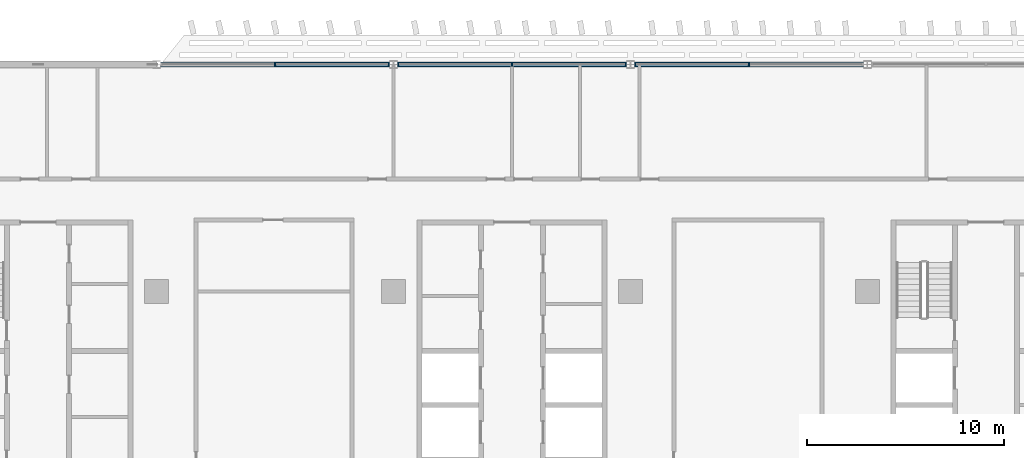
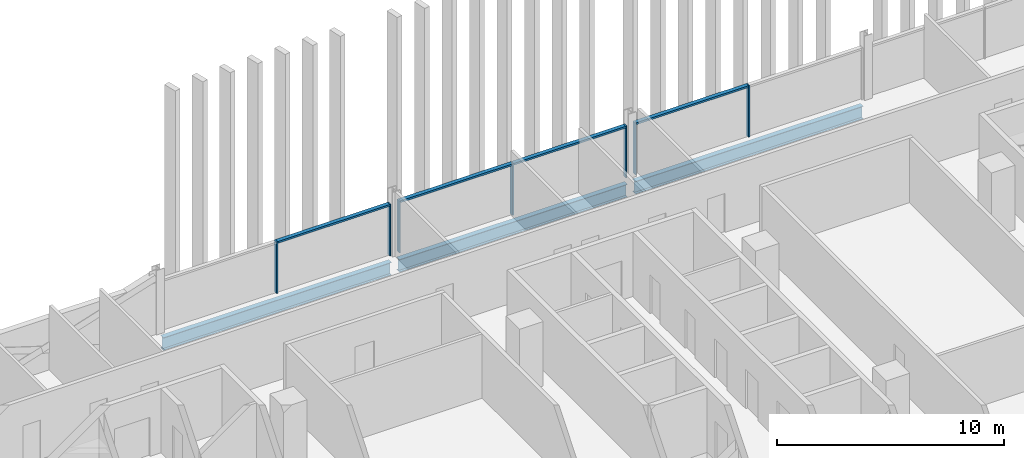
# One storey, part 7 of 28: 11 members, 3 beams, 3 elements without a shape of their own.
"""IFC4 building model written with IfcOpenShell, lengths in metres."""

import ifcopenshell
import ifcopenshell.guid

model = None  # the IFC model being written
_history = None  # IfcOwnerHistory: only IFC2X3 demands one
_inside = {}  # id of a spatial element -> (the spatial element, [elements in it])
_under = {}  # id of a project, library or spatial element -> (it, [spatial elements below it])
_declared = {}  # id of a project -> (the project, [libraries it declares])
_typed = {}  # id of a type object -> (the type object, [elements of that type])
_made_of = {}  # id of a material, layer set ... -> (it, [elements and type objects made of it])


def new_model(schema):
    """Start an empty IFC model of exactly this schema.

    Asked for "IFC4X3", IfcOpenShell would pick the latest addendum, in which some entities
    have other attributes; the version numbers below select the first issue.
    IFC2X3 requires an IfcOwnerHistory on every rooted entity: one is made here for all.
    """
    global model, _history
    if schema == "IFC4X3":
        model = ifcopenshell.file(schema_version=(4, 3, 0, 0))
    else:
        model = ifcopenshell.file(schema=schema)
    _inside.clear()
    _under.clear()
    _declared.clear()
    _typed.clear()
    _made_of.clear()
    _history = None
    if model.schema == "IFC2X3":
        org = make("IfcOrganization", Name="unknown")
        user = make(
            "IfcPersonAndOrganization",
            ThePerson=make("IfcPerson", FamilyName="unknown"),
            TheOrganization=org,
        )
        app = make(
            "IfcApplication",
            ApplicationDeveloper=org,
            Version="unknown",
            ApplicationFullName="unknown",
            ApplicationIdentifier="unknown",
        )
        _history = make(
            "IfcOwnerHistory",
            OwningUser=user,
            OwningApplication=app,
            ChangeAction="ADDED",
            CreationDate=0,
        )
    return model


def make(cls, **values):
    """One entity of the class cls with the attributes given. An attribute that is None is left unset."""
    return model.create_entity(
        cls, **{name: value for name, value in values.items() if value is not None}
    )


def rooted(cls, **values):
    """An entity with a GlobalId (a new one), such as an element, a storey or a relation."""
    return make(cls, GlobalId=ifcopenshell.guid.new(), OwnerHistory=_history, **values)


def si_unit(unit_type, name, prefix=None):
    """IfcSIUnit, for example si_unit("LENGTHUNIT", "METRE", prefix="MILLI")."""
    return make("IfcSIUnit", UnitType=unit_type, Prefix=prefix, Name=name)


def assignment(units):
    """IfcUnitAssignment: the units of a project."""
    return None if units is None else make("IfcUnitAssignment", Units=units)


def point(xyz):
    """IfcCartesianPoint."""
    return None if xyz is None else make("IfcCartesianPoint", Coordinates=xyz)


def direction(xyz):
    """IfcDirection."""
    return None if xyz is None else make("IfcDirection", DirectionRatios=xyz)


def frame(location, z_axis=None, x_axis=None):
    """IfcAxis2Placement3D, a coordinate frame: its origin and axes. An axis left out is left unset."""
    return make(
        "IfcAxis2Placement3D",
        Location=point(location),
        Axis=direction(z_axis),
        RefDirection=direction(x_axis),
    )


def frame_2d(location, x_axis=None):
    """IfcAxis2Placement2D, a coordinate frame in the plane: its origin and x axis."""
    return make(
        "IfcAxis2Placement2D", Location=point(location), RefDirection=direction(x_axis)
    )


def origin():
    """The frame at (0, 0, 0) with its axes left unset."""
    return frame((0.0, 0.0, 0.0))


def origin_2d():
    """The frame at (0, 0) in the plane with its x axis left unset."""
    return frame_2d((0.0, 0.0))


def place(relative_to, where):
    """IfcLocalPlacement: puts the frame where relative to a parent placement (None: the world)."""
    return make(
        "IfcLocalPlacement", PlacementRelTo=relative_to, RelativePlacement=where
    )


def context(
    kind, dimensions, precision=None, world=None, true_north=None, identifier=None
):
    """IfcGeometricRepresentationContext, for example the 3D "Model" context."""
    return make(
        "IfcGeometricRepresentationContext",
        ContextIdentifier=identifier,
        ContextType=kind,
        CoordinateSpaceDimension=dimensions,
        Precision=precision,
        WorldCoordinateSystem=world,
        TrueNorth=true_north,
    )


def subcontext(parent, identifier, kind, view, scale=None):
    """IfcGeometricRepresentationSubContext, for example "Body" below "Model"."""
    return make(
        "IfcGeometricRepresentationSubContext",
        ContextIdentifier=identifier,
        ContextType=kind,
        ParentContext=parent,
        TargetScale=scale,
        TargetView=view,
    )


def project(units=None, contexts=None):
    """IfcProject with its units and contexts."""
    return rooted(
        "IfcProject",
        Name="project",
        RepresentationContexts=contexts,
        UnitsInContext=assignment(units),
    )


def spatial(cls, under=None, at=None, **own):
    """A site, building, storey or space (cls), placed at a placement, below another one or the project."""
    s = rooted(cls, ObjectPlacement=at, **own)
    if under is not None:
        _under.setdefault(under.id(), (under, []))[1].append(s)
    return s


def profile(cls, at=None, kind="AREA", **sizes):
    """A parametric profile (cls). Its sizes go by their IFC names, for example OverallWidth=200.0."""
    return make(cls, ProfileType=kind, Position=at, **sizes)


def rectangle(**sizes):
    """IfcRectangleProfileDef."""
    return profile("IfcRectangleProfileDef", **sizes)


def i_section(**sizes):
    """IfcIShapeProfileDef."""
    return profile("IfcIShapeProfileDef", **sizes)


def extrude(swept, where, along, depth):
    """IfcExtrudedAreaSolid: the profile swept, set in the frame where, extruded along a direction by depth."""
    return make(
        "IfcExtrudedAreaSolid",
        SweptArea=swept,
        Position=where,
        ExtrudedDirection=direction(along),
        Depth=depth,
    )


def shape(context_of_items, identifier, shape_type, items):
    """IfcShapeRepresentation: the items that make up one representation, for example the "Body"."""
    return make(
        "IfcShapeRepresentation",
        ContextOfItems=context_of_items,
        RepresentationIdentifier=identifier,
        RepresentationType=shape_type,
        Items=items,
    )


def material(Name=None, Category=None):
    """IfcMaterial."""
    return make("IfcMaterial", Name=Name, Category=Category)


def material_profile(
    of_material, cross_section, Name=None, Category=None, Priority=None
):
    """IfcMaterialProfile: a cross section and its material."""
    return make(
        "IfcMaterialProfile",
        Name=Name,
        Material=of_material,
        Profile=cross_section,
        Priority=Priority,
        Category=Category,
    )


def profile_set(profiles, Name=None, composite=None):
    """IfcMaterialProfileSet."""
    return make(
        "IfcMaterialProfileSet",
        Name=Name,
        MaterialProfiles=profiles,
        CompositeProfile=composite,
    )


def made_of(thing, what):
    """Note that an element or type object is made of a material, layer set ...; save() writes the relation."""
    if what is not None:
        _made_of.setdefault(what.id(), (what, []))[1].append(thing)
    return thing


def type_object(cls, material=None, **own):
    """A type object (cls), such as IfcWallType, which elements share."""
    return made_of(rooted(cls, **own), material)


def element(
    cls,
    number,
    at=None,
    inside=None,
    cuts=None,
    type_object=None,
    material=None,
    context=None,
    identifier="Body",
    shape_type=None,
    held_by="IfcProductDefinitionShape",
    body=None,
    shapes=None,
    **own,
):
    """One element of the class cls, such as IfcWall. Its Tag is "e" and its number.

    at: its placement. inside: the storey or other place that contains it. cuts: it is an
    opening in that element (IfcRelVoidsElement). A single representation is given by context,
    identifier, shape_type and body (its items); several are given by shapes. held_by: the class
    of the entity that holds the representations. save() writes the other relations.
    """
    e = rooted(cls, Tag="e%d" % number, ObjectPlacement=at, **own)
    if body is not None:
        shapes = [shape(context, identifier, shape_type, body)]
    if shapes is not None:
        e.Representation = make(held_by, Representations=shapes)
    if inside is not None:
        _inside.setdefault(inside.id(), (inside, []))[1].append(e)
    if cuts is not None:
        rooted(
            "IfcRelVoidsElement", RelatingBuildingElement=cuts, RelatedOpeningElement=e
        )
    if type_object is not None:
        _typed.setdefault(type_object.id(), (type_object, []))[1].append(e)
    return made_of(e, material)


def aggregate(whole, parts):
    """IfcRelAggregates: a whole, such as a stair, and the parts it consists of."""
    return rooted("IfcRelAggregates", RelatingObject=whole, RelatedObjects=parts)


def save(model, path):
    """Write the relations noted so far, then the file.

    IfcRelAggregates (storeys below a building ...), IfcRelContainedInSpatialStructure (elements
    in a storey), IfcRelDefinesByType, IfcRelAssociatesMaterial and IfcRelDeclares: one each for
    every whole, place, type object, material and project.
    """
    for whole, parts in _under.values():
        aggregate(whole, parts)
    for where, things in _inside.values():
        rooted(
            "IfcRelContainedInSpatialStructure",
            RelatedElements=things,
            RelatingStructure=where,
        )
    for kind, things in _typed.values():
        rooted("IfcRelDefinesByType", RelatedObjects=things, RelatingType=kind)
    for what, things in _made_of.values():
        rooted("IfcRelAssociatesMaterial", RelatedObjects=things, RelatingMaterial=what)
    for by, libraries in _declared.values():
        rooted("IfcRelDeclares", RelatingContext=by, RelatedDefinitions=libraries)
    model.write(path)


model = new_model("IFC4")

# Units and contexts
model_context = context("Model", 3, precision=1e-05, world=origin(), true_north=direction((0.0, 1.0)))
body_context = subcontext(model_context, "Body", "Model", "MODEL_VIEW")
ifc_project = project(units=[si_unit("LENGTHUNIT", "METRE"), si_unit("AREAUNIT", "SQUARE_METRE"), si_unit("VOLUMEUNIT", "CUBIC_METRE"), si_unit("PLANEANGLEUNIT", "RADIAN"), si_unit("MASSUNIT", "GRAM", prefix="KILO")], contexts=[model_context])

# Site, building, storey
site_placement = place(None, origin())
site = spatial("IfcSite", under=ifc_project, at=site_placement, CompositionType="ELEMENT")
building_placement = place(site_placement, origin())
building = spatial("IfcBuilding", under=site, at=building_placement, Name="Mahtab Terrace Research Tower", CompositionType="ELEMENT")
storey_placement = place(building_placement, frame((0.0, 0.0, 174.39990234375)))
storey = spatial("IfcBuildingStorey", under=building, at=storey_placement, Name="L41", CompositionType="ELEMENT", Elevation=174.39990234375)

# Curtain wall, members
ifc_material_1 = material(Name="Laboratory ribbon curtain wall")
curtain_wall_type = type_object("IfcCurtainWallType", Name="Laboratory ribbon curtain wall", PredefinedType="NOTDEFINED", material=ifc_material_1)
curtain_wall_1_placement = place(storey_placement, origin())
curtain_wall_1 = element("IfcCurtainWall", 1, at=curtain_wall_1_placement, inside=storey, type_object=curtain_wall_type, Name="EN.L41.3.5", PredefinedType="NOTDEFINED")
ifc_material_2 = material(Name="Natural anodised aluminium", Category="aluminium")
ifc_material_profile_1 = material_profile(ifc_material_2, rectangle(XDim=0.199951171875, YDim=0.06494140625, at=origin_2d()), Name="MULLION 65x200")
ifc_profile_set_1 = profile_set([ifc_material_profile_1], Name="Natural anodised aluminium")
member_type_1 = type_object("IfcMemberType", Name="Laboratory ribbon curtain wall mullion", PredefinedType="MULLION", material=ifc_profile_set_1)
member_1_placement = place(storey_placement, frame((12.0, 23.0, 0.0), z_axis=(0.0, 0.0, 1.0), x_axis=(0.0, -1.0, 0.0)))
member_1 = element("IfcMember", 2, at=member_1_placement, type_object=member_type_1, Name="CWL-5 mullion 2", PredefinedType="MULLION", context=body_context, shape_type="SweptSolid", body=[
    extrude(rectangle(XDim=0.199951171875, YDim=0.06494140625, at=origin_2d()), origin(), (0.0, 0.0, 1.0), 2.781982421875),
])
member_2_placement = place(storey_placement, frame((6.240478515625, 23.0, 0.0), z_axis=(0.0, 0.0, 1.0), x_axis=(0.0, -1.0, 0.0)))
member_2 = element("IfcMember", 3, at=member_2_placement, type_object=member_type_1, Name="CWL-5 mullion 3", PredefinedType="MULLION", context=body_context, shape_type="SweptSolid", body=[
    extrude(rectangle(XDim=0.199951171875, YDim=0.06494140625, at=origin_2d()), origin(), (0.0, 0.0, 1.0), 2.781982421875),
])

curtain_wall_2_placement = place(storey_placement, origin())
curtain_wall_2 = element("IfcCurtainWall", 4, at=curtain_wall_2_placement, inside=storey, type_object=curtain_wall_type, Name="EN.L41.3.6", PredefinedType="NOTDEFINED")
member_3_placement = place(storey_placement, frame((5.759521484375, 23.0, 0.0), z_axis=(0.0, 0.0, 1.0), x_axis=(0.0, -1.0, 0.0)))
member_3 = element("IfcMember", 5, at=member_3_placement, type_object=member_type_1, Name="CWL-5 mullion 1", PredefinedType="MULLION", context=body_context, shape_type="SweptSolid", body=[
    extrude(rectangle(XDim=0.199951171875, YDim=0.06494140625, at=origin_2d()), origin(), (0.0, 0.0, 1.0), 2.781982421875),
])
member_4_placement = place(storey_placement, frame((0.0, 23.0, 0.0), z_axis=(0.0, 0.0, 1.0), x_axis=(0.0, -1.0, 0.0)))
member_4 = element("IfcMember", 6, at=member_4_placement, type_object=member_type_1, Name="CWL-5 mullion 2", PredefinedType="MULLION", context=body_context, shape_type="SweptSolid", body=[
    extrude(rectangle(XDim=0.199951171875, YDim=0.06494140625, at=origin_2d()), origin(), (0.0, 0.0, 1.0), 2.781982421875),
])
member_5_placement = place(storey_placement, frame((-5.759521484375, 23.0, 0.0), z_axis=(0.0, 0.0, 1.0), x_axis=(0.0, -1.0, 0.0)))
member_5 = element("IfcMember", 7, at=member_5_placement, type_object=member_type_1, Name="CWL-5 mullion 3", PredefinedType="MULLION", context=body_context, shape_type="SweptSolid", body=[
    extrude(rectangle(XDim=0.199951171875, YDim=0.06494140625, at=origin_2d()), origin(), (0.0, 0.0, 1.0), 2.781982421875),
])

curtain_wall_3_placement = place(storey_placement, origin())
curtain_wall_3 = element("IfcCurtainWall", 8, at=curtain_wall_3_placement, inside=storey, type_object=curtain_wall_type, Name="EN.L41.3.7", PredefinedType="NOTDEFINED")
member_6_placement = place(storey_placement, frame((-6.240478515625, 23.0, 0.0), z_axis=(0.0, 0.0, 1.0), x_axis=(0.0, -1.0, 0.0)))
member_6 = element("IfcMember", 9, at=member_6_placement, type_object=member_type_1, Name="CWL-5 mullion 1", PredefinedType="MULLION", context=body_context, shape_type="SweptSolid", body=[
    extrude(rectangle(XDim=0.199951171875, YDim=0.06494140625, at=origin_2d()), origin(), (0.0, 0.0, 1.0), 2.781982421875),
])
member_7_placement = place(storey_placement, frame((-12.0, 23.0, 0.0), z_axis=(0.0, 0.0, 1.0), x_axis=(0.0, -1.0, 0.0)))
member_7 = element("IfcMember", 10, at=member_7_placement, type_object=member_type_1, Name="CWL-5 mullion 2", PredefinedType="MULLION", context=body_context, shape_type="SweptSolid", body=[
    extrude(rectangle(XDim=0.199951171875, YDim=0.06494140625, at=origin_2d()), origin(), (0.0, 0.0, 1.0), 2.781982421875),
])

# Member
ifc_material_profile_2 = material_profile(ifc_material_2, rectangle(XDim=0.199951171875, YDim=0.10009765625, at=origin_2d()), Name="TRANSOM 100x200")
ifc_profile_set_2 = profile_set([ifc_material_profile_2], Name="Natural anodised aluminium")
member_type_2 = type_object("IfcMemberType", Name="Laboratory ribbon curtain wall transom", PredefinedType="USERDEFINED", material=ifc_profile_set_2)
member_8_placement = place(storey_placement, frame((11.967529296875, 23.0, 2.73193359375), z_axis=(-1.0, 0.0, 0.0), x_axis=(0.0, -1.0, 0.0)))
member_8 = element("IfcMember", 11, at=member_8_placement, type_object=member_type_2, Name="CWL-5 transom 2", ObjectType="TRANSOM", PredefinedType="USERDEFINED", context=body_context, shape_type="SweptSolid", body=[
    extrude(rectangle(XDim=0.199951171875, YDim=0.10009765625, at=origin_2d()), origin(), (0.0, 0.0, 1.0), 5.694580078125),
])

aggregate(curtain_wall_1, [member_1, member_2, member_8])

member_9_placement = place(storey_placement, frame((5.72705078125, 23.0, 2.73193359375), z_axis=(-1.0, 0.0, 0.0), x_axis=(0.0, -1.0, 0.0)))
member_9 = element("IfcMember", 12, at=member_9_placement, type_object=member_type_2, Name="CWL-5 transom 1", ObjectType="TRANSOM", PredefinedType="USERDEFINED", context=body_context, shape_type="SweptSolid", body=[
    extrude(rectangle(XDim=0.199951171875, YDim=0.10009765625, at=origin_2d()), origin(), (0.0, 0.0, 1.0), 5.694580078125),
])

member_10_placement = place(storey_placement, frame((-0.032470703125, 23.0, 2.73193359375), z_axis=(-1.0, 0.0, 0.0), x_axis=(0.0, -1.0, 0.0)))
member_10 = element("IfcMember", 13, at=member_10_placement, type_object=member_type_2, Name="CWL-5 transom 2", ObjectType="TRANSOM", PredefinedType="USERDEFINED", context=body_context, shape_type="SweptSolid", body=[
    extrude(rectangle(XDim=0.199951171875, YDim=0.10009765625, at=origin_2d()), origin(), (0.0, 0.0, 1.0), 5.694580078125),
])

aggregate(curtain_wall_2, [member_3, member_4, member_5, member_9, member_10])

member_11_placement = place(storey_placement, frame((-6.27294921875, 23.0, 2.73193359375), z_axis=(-1.0, 0.0, 0.0), x_axis=(0.0, -1.0, 0.0)))
member_11 = element("IfcMember", 14, at=member_11_placement, type_object=member_type_2, Name="CWL-5 transom 1", ObjectType="TRANSOM", PredefinedType="USERDEFINED", context=body_context, shape_type="SweptSolid", body=[
    extrude(rectangle(XDim=0.199951171875, YDim=0.10009765625, at=origin_2d()), origin(), (0.0, 0.0, 1.0), 5.694580078125),
])

aggregate(curtain_wall_3, [member_6, member_7, member_11])

# Beams
ifc_material_3 = material(Name="Steel ASTM A992 Gr 50", Category="steel")
ifc_material_profile_3 = material_profile(ifc_material_3, i_section(OverallWidth=0.25390625, OverallDepth=0.67822265625, WebThickness=0.01171875, FlangeThickness=0.016357421875, at=origin_2d()), Name="W27X84")
ifc_profile_set_3 = profile_set([ifc_material_profile_3], Name="Steel ASTM A992 Gr 50")
beam_type = type_object("IfcBeamType", Name="W27x84 beam BS2784", PredefinedType="BEAM", material=ifc_profile_set_3)
for number, where, z_axis, x_axis, name in (
    (15, (17.796875, 23.0, -0.678955078125), (-1.0, 0.0, 0.0), (0.0, -1.0, 0.0), "Spandrel beam L41 03"),
    (16, (5.796875, 23.0, -0.678955078125), (-1.0, 0.0, 0.0), (0.0, -1.0, 0.0), "Spandrel beam L41 04"),
    (17, (-6.203125, 23.0, -0.678955078125), (-1.0, 0.0, 0.0), (0.0, -1.0, 0.0), "Spandrel beam L41 05"),
):
    element("IfcBeam", number, at=place(storey_placement, frame(where, z_axis=z_axis, x_axis=x_axis)), inside=storey, type_object=beam_type, Name=name, PredefinedType="BEAM", context=body_context, shape_type="SweptSolid", body=[
        extrude(i_section(OverallWidth=0.25390625, OverallDepth=0.67822265625, WebThickness=0.01171875, FlangeThickness=0.016357421875, at=origin_2d()), origin(), (0.0, 0.0, 1.0), 11.59375),
    ])

save(model, "model.ifc")
